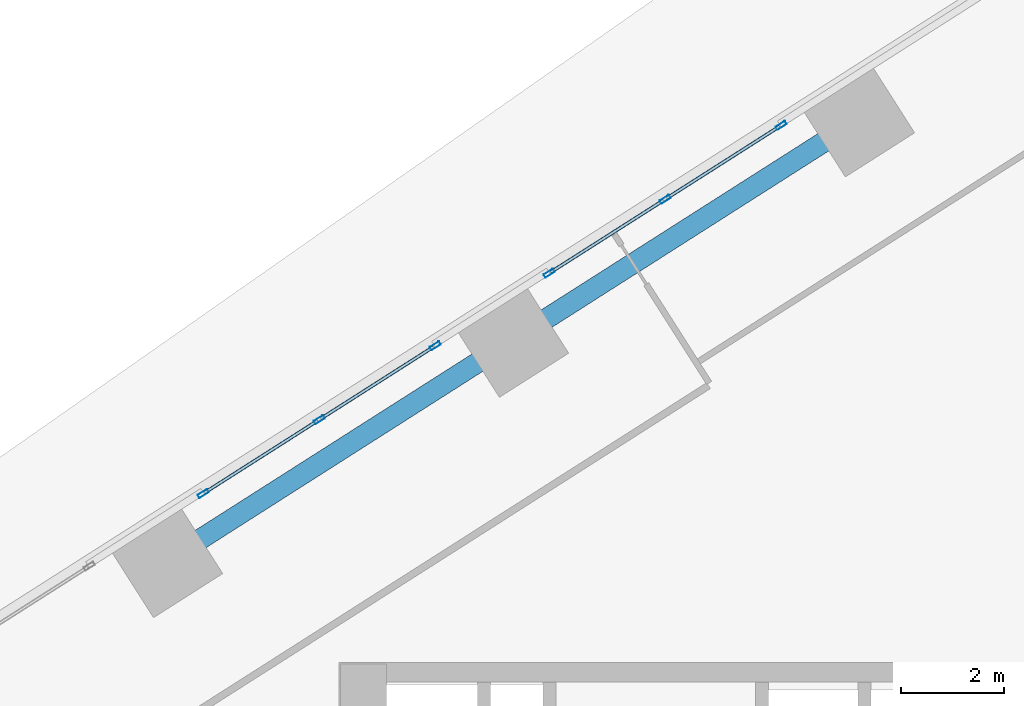
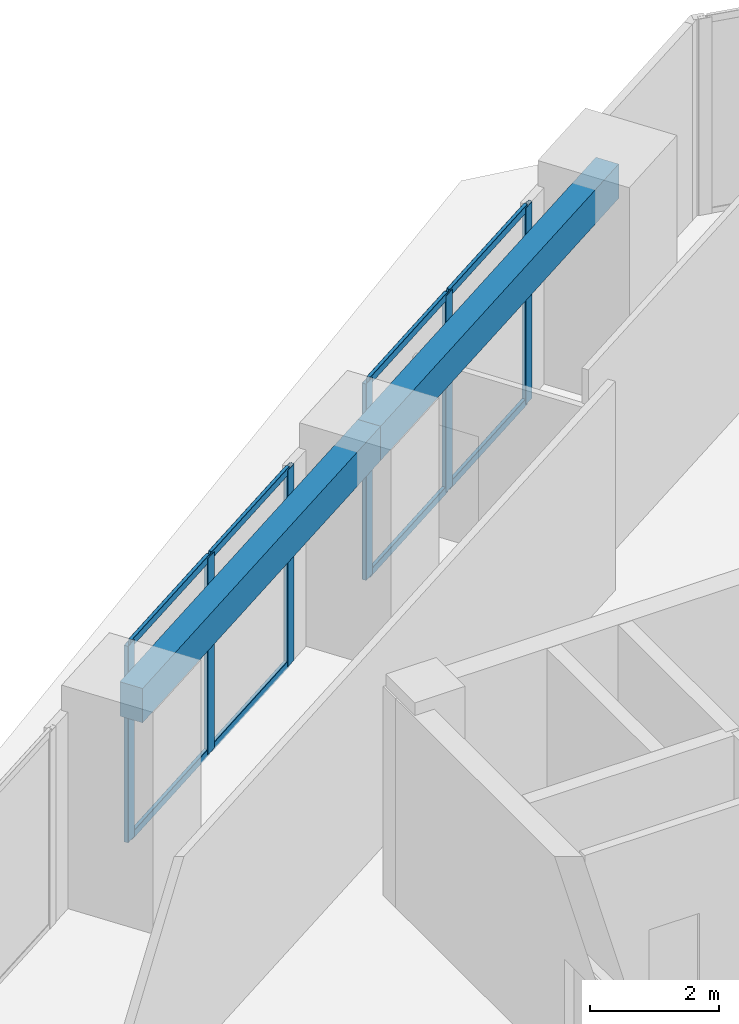
# One storey, part 8 of 15: 14 members, 2 beams, 2 elements without a shape of their own.
"""IFC4 building model written with IfcOpenShell, lengths in metres."""

from ifc_helpers import new_model, si_unit, direction, frame, origin, origin_2d, place, context, subcontext, project, spatial, rectangle, hollow_rectangle, extrude, source, transform, mapped, material, material_profile, profile_set, type_object, element, aggregate, save


model = new_model("IFC4")

# Units and contexts
model_context = context("Model", 3, precision=1e-05, world=origin(), true_north=direction((0.0, 1.0)))
body_context = subcontext(model_context, "Body", "Model", "MODEL_VIEW")
ifc_project = project(units=[si_unit("LENGTHUNIT", "METRE"), si_unit("AREAUNIT", "SQUARE_METRE"), si_unit("VOLUMEUNIT", "CUBIC_METRE"), si_unit("PLANEANGLEUNIT", "RADIAN"), si_unit("MASSUNIT", "GRAM", prefix="KILO")], contexts=[model_context])

# Site, building, storey
site_placement = place(None, origin())
site = spatial("IfcSite", under=ifc_project, at=site_placement, CompositionType="ELEMENT")
building_placement = place(site_placement, origin())
building = spatial("IfcBuilding", under=site, at=building_placement, Name="Torre Montelarca", CompositionType="ELEMENT")
storey_placement = place(building_placement, frame((0.0, 0.0, 307.199951171875)))
storey = spatial("IfcBuildingStorey", under=building, at=storey_placement, Name="L69", CompositionType="ELEMENT", Elevation=307.199951171875)

# Beams
ifc_material_1 = material(Name="Concrete C40/50", Category="concrete")
ifc_material_profile_1 = material_profile(ifc_material_1, rectangle(XDim=0.39990234375, YDim=0.64990234375, at=origin_2d()), Name="RCB400X650", Category="concrete")
ifc_profile_set_1 = profile_set([ifc_material_profile_1], Name="Concrete C40/50")
beam_type = type_object("IfcBeamType", Name="BM-SP-RC650-EXT", PredefinedType="SPANDREL", material=ifc_profile_set_1)
shared_shape_1 = source(origin(), body_context, "Body", "SweptSolid", [
    extrude(rectangle(XDim=0.39990234375, YDim=0.64990234375, at=origin_2d()), origin(), (0.0, 0.0, 1.0), 8.0),
])
for number, where, z_axis, x_axis, name in (
    (1, (5.699462890625, 41.91259765625, 3.635009765625), (0.843378636084, 0.537319715065, 0.0), (-0.537319715065, 0.843378636084, 0.0), "L69 Grid Girder Y 24.0-32.0 at X=4.7"),
    (2, (12.446533203125, 46.211181640625, 3.635009765625), (0.843392465414, 0.537298007891, 0.0), (-0.537298007891, 0.843392465414, 0.0), "L69 Grid Girder Y 32.0-40.0 at X=4.7"),
):
    element("IfcBeam", number, at=place(storey_placement, frame(where, z_axis=z_axis, x_axis=x_axis)), inside=storey, type_object=beam_type, Name=name, PredefinedType="SPANDREL", context=body_context, shape_type="MappedRepresentation", body=[
        mapped(shared_shape_1, transform((0.0, 0.0, 0.0), scale=1.0)),
    ])

# Curtain wall, members
ifc_material_2 = material(Name="Insulated low-E laminated glass", Category="glass")
curtain_wall_type = type_object("IfcCurtainWallType", Name="CW-SYS-Z4", PredefinedType="USERDEFINED", material=ifc_material_2)
curtain_wall_1_placement = place(storey_placement, origin())
curtain_wall_1 = element("IfcCurtainWall", 3, at=curtain_wall_1_placement, inside=storey, type_object=curtain_wall_type, Name="L69 Curtain Wall Run CW-T3-L69-E10-B1", ObjectType="UNITISED GLAZING", PredefinedType="USERDEFINED")
ifc_material_3 = material(Name="Anodised aluminium AA 6063-T6", Category="aluminium")
ifc_material_profile_2 = material_profile(ifc_material_3, hollow_rectangle(XDim=0.074951171875, YDim=0.219970703125, WallThickness=0.0048828125, InnerFilletRadius=0.0048828125, OuterFilletRadius=0.010009765625, at=origin_2d()), Name="ALU75X220X5", Category="aluminium")
ifc_profile_set_2 = profile_set([ifc_material_profile_2], Name="Anodised aluminium AA 6063-T6")
member_type_1 = type_object("IfcMemberType", Name="CWM-ALU220", PredefinedType="MULLION", material=ifc_profile_set_2)
shared_shape_2 = source(origin(), body_context, "Body", "SweptSolid", [
    extrude(hollow_rectangle(XDim=0.074951171875, YDim=0.219970703125, WallThickness=0.0048828125, InnerFilletRadius=0.0048828125, OuterFilletRadius=0.010009765625, at=origin_2d()), origin(), (0.0, 0.0, 1.0), 3.719970703125),
])
member_1_placement = place(storey_placement, frame((17.695556640625, 50.408935546875, 0.0), z_axis=(0.0, 0.0, 1.0), x_axis=(0.537302438359, -0.84338964289, 0.0)))
member_1 = element("IfcMember", 4, at=member_1_placement, type_object=member_type_1, Name="CW mullion 1", PredefinedType="MULLION", context=body_context, shape_type="MappedRepresentation", body=[
    mapped(shared_shape_2, transform((0.0, 0.0, 0.0), scale=1.0)),
])
member_2_placement = place(storey_placement, frame((15.43310546875, 48.967529296875, 0.0), z_axis=(0.0, 0.0, 1.0), x_axis=(0.537302438359, -0.84338964289, 0.0)))
member_2 = element("IfcMember", 5, at=member_2_placement, type_object=member_type_1, Name="CW mullion 2", PredefinedType="MULLION", context=body_context, shape_type="MappedRepresentation", body=[
    mapped(shared_shape_2, transform((0.0, 0.0, 0.0), scale=1.0)),
])
member_3_placement = place(storey_placement, frame((13.1708984375, 47.5263671875, 0.0), z_axis=(0.0, 0.0, 1.0), x_axis=(0.537302438359, -0.84338964289, 0.0)))
member_3 = element("IfcMember", 6, at=member_3_placement, type_object=member_type_1, Name="CW mullion 3", PredefinedType="MULLION", context=body_context, shape_type="MappedRepresentation", body=[
    mapped(shared_shape_2, transform((0.0, 0.0, 0.0), scale=1.0)),
])

curtain_wall_2_placement = place(storey_placement, origin())
curtain_wall_2 = element("IfcCurtainWall", 7, at=curtain_wall_2_placement, inside=storey, type_object=curtain_wall_type, Name="L69 Curtain Wall Run CW-T3-L69-E10-B2", ObjectType="UNITISED GLAZING", PredefinedType="USERDEFINED")
member_4_placement = place(storey_placement, frame((10.948486328125, 46.1103515625, 0.0), z_axis=(0.0, 0.0, 1.0), x_axis=(0.537302438359, -0.84338964289, 0.0)))
member_4 = element("IfcMember", 8, at=member_4_placement, type_object=member_type_1, Name="CW mullion 1", PredefinedType="MULLION", context=body_context, shape_type="MappedRepresentation", body=[
    mapped(shared_shape_2, transform((0.0, 0.0, 0.0), scale=1.0)),
])
member_5_placement = place(storey_placement, frame((8.68603515625, 44.669189453125, 0.0), z_axis=(0.0, 0.0, 1.0), x_axis=(0.537302438359, -0.84338964289, 0.0)))
member_5 = element("IfcMember", 9, at=member_5_placement, type_object=member_type_1, Name="CW mullion 2", PredefinedType="MULLION", context=body_context, shape_type="MappedRepresentation", body=[
    mapped(shared_shape_2, transform((0.0, 0.0, 0.0), scale=1.0)),
])
member_6_placement = place(storey_placement, frame((6.423828125, 43.227783203125, 0.0), z_axis=(0.0, 0.0, 1.0), x_axis=(0.537302438359, -0.84338964289, 0.0)))
member_6 = element("IfcMember", 10, at=member_6_placement, type_object=member_type_1, Name="CW mullion 3", PredefinedType="MULLION", context=body_context, shape_type="MappedRepresentation", body=[
    mapped(shared_shape_2, transform((0.0, 0.0, 0.0), scale=1.0)),
])

# Member
ifc_material_profile_3 = material_profile(ifc_material_3, hollow_rectangle(XDim=0.06494140625, YDim=0.139892578125, WallThickness=0.00390625, InnerFilletRadius=0.00390625, OuterFilletRadius=0.008056640625, at=origin_2d()), Name="ALU65X140X4", Category="aluminium")
ifc_profile_set_3 = profile_set([ifc_material_profile_3], Name="Anodised aluminium AA 6063-T6")
member_type_2 = type_object("IfcMemberType", Name="CWT-ALU140", PredefinedType="USERDEFINED", material=ifc_profile_set_3)
shared_shape_3 = source(origin(), body_context, "Body", "SweptSolid", [
    extrude(hollow_rectangle(XDim=0.06494140625, YDim=0.139892578125, WallThickness=0.00390625, InnerFilletRadius=0.00390625, OuterFilletRadius=0.008056640625, at=origin_2d()), origin(), (0.0, 0.0, 1.0), 2.607421875),
])
member_7_placement = place(storey_placement, frame((17.6640625, 50.388671875, 0.032470703125), z_axis=(-0.843422371286, -0.537251061994, 0.0), x_axis=(0.537251061994, -0.843422371286, 0.0)))
member_7 = element("IfcMember", 11, at=member_7_placement, type_object=member_type_2, Name="CW transom 1.1", ObjectType="TRANSOM", PredefinedType="USERDEFINED", context=body_context, shape_type="MappedRepresentation", body=[
    mapped(shared_shape_3, transform((0.0, 0.0, 0.0), scale=1.0)),
])

member_8_placement = place(storey_placement, frame((17.6640625, 50.388671875, 3.6875), z_axis=(-0.843422371286, -0.537251061994, 0.0), x_axis=(0.537251061994, -0.843422371286, 0.0)))
member_8 = element("IfcMember", 12, at=member_8_placement, type_object=member_type_2, Name="CW transom 1.2", ObjectType="TRANSOM", PredefinedType="USERDEFINED", context=body_context, shape_type="MappedRepresentation", body=[
    mapped(shared_shape_3, transform((0.0, 0.0, 0.0), scale=1.0)),
])

member_9_placement = place(storey_placement, frame((10.916748046875, 46.09033203125, 0.032470703125), z_axis=(-0.843352910211, -0.537360092339, 0.0), x_axis=(0.537360092339, -0.843352910211, 0.0)))
member_9 = element("IfcMember", 13, at=member_9_placement, type_object=member_type_2, Name="CW transom 1.1", ObjectType="TRANSOM", PredefinedType="USERDEFINED", context=body_context, shape_type="MappedRepresentation", body=[
    mapped(shared_shape_3, transform((0.0, 0.0, 0.0), scale=1.0)),
])

member_10_placement = place(storey_placement, frame((10.916748046875, 46.09033203125, 3.6875), z_axis=(-0.843352910211, -0.537360092339, 0.0), x_axis=(0.537360092339, -0.843352910211, 0.0)))
member_10 = element("IfcMember", 14, at=member_10_placement, type_object=member_type_2, Name="CW transom 1.2", ObjectType="TRANSOM", PredefinedType="USERDEFINED", context=body_context, shape_type="MappedRepresentation", body=[
    mapped(shared_shape_3, transform((0.0, 0.0, 0.0), scale=1.0)),
])

member_11_placement = place(storey_placement, frame((8.654541015625, 44.64892578125, 0.032470703125), z_axis=(-0.843422371286, -0.537251061994, 0.0), x_axis=(0.537251061994, -0.843422371286, 0.0)))
member_11 = element("IfcMember", 15, at=member_11_placement, type_object=member_type_2, Name="CW transom 2.1", ObjectType="TRANSOM", PredefinedType="USERDEFINED", context=body_context, shape_type="MappedRepresentation", body=[
    mapped(shared_shape_3, transform((0.0, 0.0, 0.0), scale=1.0)),
])

member_12_placement = place(storey_placement, frame((8.654541015625, 44.64892578125, 3.6875), z_axis=(-0.843422371286, -0.537251061994, 0.0), x_axis=(0.537251061994, -0.843422371286, 0.0)))
member_12 = element("IfcMember", 16, at=member_12_placement, type_object=member_type_2, Name="CW transom 2.2", ObjectType="TRANSOM", PredefinedType="USERDEFINED", context=body_context, shape_type="MappedRepresentation", body=[
    mapped(shared_shape_3, transform((0.0, 0.0, 0.0), scale=1.0)),
])

aggregate(curtain_wall_2, [member_4, member_5, member_6, member_9, member_10, member_11, member_12])

shared_shape_4 = source(origin(), body_context, "Body", "SweptSolid", [
    extrude(hollow_rectangle(XDim=0.06494140625, YDim=0.139892578125, WallThickness=0.00390625, InnerFilletRadius=0.00390625, OuterFilletRadius=0.008056640625, at=origin_2d()), origin(), (0.0, 0.0, 1.0), 2.607666015625),
])
member_13_placement = place(storey_placement, frame((15.401611328125, 48.947509765625, 0.032470703125), z_axis=(-0.843379944102, -0.53731766199, 0.0), x_axis=(0.53731766199, -0.843379944102, 0.0)))
member_13 = element("IfcMember", 17, at=member_13_placement, type_object=member_type_2, Name="CW transom 2.1", ObjectType="TRANSOM", PredefinedType="USERDEFINED", context=body_context, shape_type="MappedRepresentation", body=[
    mapped(shared_shape_4, transform((0.0, 0.0, 0.0), scale=1.0)),
])

member_14_placement = place(storey_placement, frame((15.401611328125, 48.947509765625, 3.6875), z_axis=(-0.843379944102, -0.53731766199, 0.0), x_axis=(0.53731766199, -0.843379944102, 0.0)))
member_14 = element("IfcMember", 18, at=member_14_placement, type_object=member_type_2, Name="CW transom 2.2", ObjectType="TRANSOM", PredefinedType="USERDEFINED", context=body_context, shape_type="MappedRepresentation", body=[
    mapped(shared_shape_4, transform((0.0, 0.0, 0.0), scale=1.0)),
])

aggregate(curtain_wall_1, [member_1, member_2, member_3, member_7, member_8, member_13, member_14])

save(model, "model.ifc")
